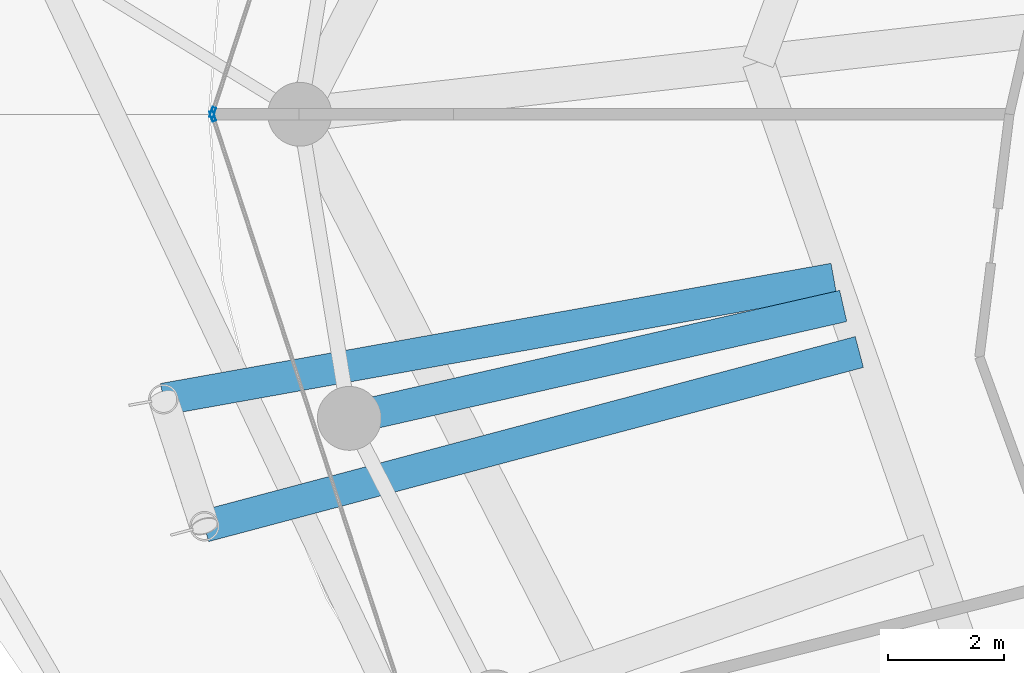
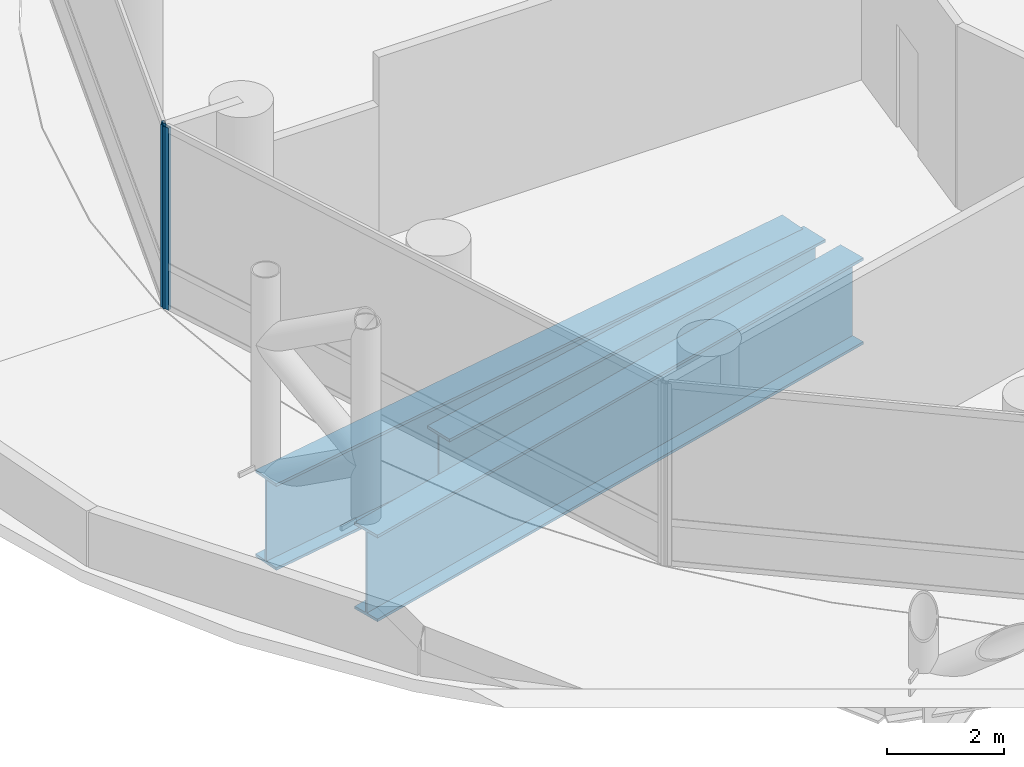
# One storey, part 8 of 37: 3 beams, 2 members, 2 elements without a shape of their own.
"""IFC4 building model written with IfcOpenShell, lengths in metres."""

from ifc_helpers import new_model, si_unit, direction, frame, origin, origin_2d, place, context, subcontext, project, spatial, hollow_rectangle, i_section, extrude, material, layer, layer_set, material_profile, profile_set, type_object, element, aggregate, save


model = new_model("IFC4")

# Units and contexts
model_context = context("Model", 3, precision=1e-05, world=origin(), true_north=direction((0.0, 1.0)))
body_context = subcontext(model_context, "Body", "Model", "MODEL_VIEW")
ifc_project = project(units=[si_unit("LENGTHUNIT", "METRE"), si_unit("AREAUNIT", "SQUARE_METRE"), si_unit("VOLUMEUNIT", "CUBIC_METRE"), si_unit("PLANEANGLEUNIT", "RADIAN"), si_unit("MASSUNIT", "GRAM", prefix="KILO")], contexts=[model_context])

# Site, building, storey
site_placement = place(None, origin())
site = spatial("IfcSite", under=ifc_project, at=site_placement, CompositionType="ELEMENT")
building_placement = place(site_placement, origin())
building = spatial("IfcBuilding", under=site, at=building_placement, Name="Nuhasar Tower", CompositionType="ELEMENT")
storey_placement = place(building_placement, frame((0.0, 0.0, 21.0)))
storey = spatial("IfcBuildingStorey", under=building, at=storey_placement, Name="L04", CompositionType="ELEMENT", Elevation=21.0)

# Beams
ifc_material_1 = material(Name="Steel S460", Category="steel")
ifc_material_profile_1 = material_profile(ifc_material_1, i_section(OverallWidth=0.550048828125, OverallDepth=1.64990234375, WebThickness=0.031982421875, FlangeThickness=0.054931640625, at=origin_2d()), Name="PG1650X550")
ifc_profile_set_1 = profile_set([ifc_material_profile_1], Name="Steel S460")
beam_type_1 = type_object("IfcBeamType", Name="BM-XFER-PG1650", PredefinedType="USERDEFINED", material=ifc_profile_set_1)
beam_1_placement = place(storey_placement, frame((23.31689453125, 23.49609375, -1.0849609375), z_axis=(-0.975077061721, -0.221866454664, 0.0), x_axis=(0.221866454664, -0.975077061721, 0.0)))
element("IfcBeam", 1, at=beam_1_placement, inside=storey, type_object=beam_type_1, Name="L04 Inner Column Transfer Girder 14", ObjectType="GIRDER", PredefinedType="USERDEFINED", context=body_context, shape_type="SweptSolid", body=[
    extrude(i_section(OverallWidth=0.550048828125, OverallDepth=1.64990234375, WebThickness=0.031982421875, FlangeThickness=0.054931640625, at=origin_2d()), origin(), (0.0, 0.0, 1.0), 8.73046875),
])
ifc_material_profile_2 = material_profile(ifc_material_1, i_section(OverallWidth=0.550048828125, OverallDepth=1.800048828125, WebThickness=0.031982421875, FlangeThickness=0.054931640625, at=origin_2d()), Name="PG1800X550")
ifc_profile_set_2 = profile_set([ifc_material_profile_2], Name="Steel S460")
beam_type_2 = type_object("IfcBeamType", Name="BM-XFER-PG1800", PredefinedType="USERDEFINED", material=ifc_profile_set_2)
beam_2_placement = place(storey_placement, frame((23.155029296875, 23.9609375, -1.159912109375), z_axis=(-0.984314388203, -0.176423312454, 0.0), x_axis=(0.176423312454, -0.984314388203, 0.0)))
element("IfcBeam", 2, at=beam_2_placement, inside=storey, type_object=beam_type_2, Name="L04 Exoskeleton Base Transfer Girder 13", ObjectType="GIRDER", PredefinedType="USERDEFINED", context=body_context, shape_type="SweptSolid", body=[
    extrude(i_section(OverallWidth=0.550048828125, OverallDepth=1.800048828125, WebThickness=0.031982421875, FlangeThickness=0.054931640625, at=origin_2d()), origin(), (0.0, 0.0, 1.0), 11.739013671875),
])
beam_3_placement = place(storey_placement, frame((23.593994140625, 22.702880859375, -1.159912109375), z_axis=(-0.966397133766, -0.257053651693, 0.0), x_axis=(0.257053651693, -0.966397133766, 0.0)))
element("IfcBeam", 3, at=beam_3_placement, inside=storey, type_object=beam_type_2, Name="L04 Exoskeleton Base Transfer Girder 14", ObjectType="GIRDER", PredefinedType="USERDEFINED", context=body_context, shape_type="SweptSolid", body=[
    extrude(i_section(OverallWidth=0.550048828125, OverallDepth=1.800048828125, WebThickness=0.031982421875, FlangeThickness=0.054931640625, at=origin_2d()), origin(), (0.0, 0.0, 1.0), 11.67822265625),
])

# Curtain wall, member
ifc_material_2 = material(Name="Aluminium 6063-T6", Category="aluminium")
ifc_layer = layer(ifc_material_2, 0.199951171875)
ifc_layer_set = layer_set([ifc_layer], Name="Aluminium 6063-T6")
curtain_wall_type = type_object("IfcCurtainWallType", Name="CW-Z1-OFF", PredefinedType="NOTDEFINED", material=ifc_layer_set)
curtain_wall_1_placement = place(storey_placement, origin())
curtain_wall_1 = element("IfcCurtainWall", 4, at=curtain_wall_1_placement, inside=storey, type_object=curtain_wall_type, Name="L04 Unitised Curtain Wall 06", PredefinedType="NOTDEFINED")
ifc_material_profile_3 = material_profile(ifc_material_2, hollow_rectangle(XDim=0.06494140625, YDim=0.179931640625, WallThickness=0.0048828125, at=origin_2d()), Name="CWM-2")
ifc_profile_set_3 = profile_set([ifc_material_profile_3], Name="Aluminium 6063-T6")
member_type = type_object("IfcMemberType", Name="CW-MUL-S2", PredefinedType="MULLION", material=ifc_profile_set_3)
member_1_placement = place(storey_placement, frame((12.4501953125, 26.830810546875, 0.0), z_axis=(0.0, 0.0, 1.0), x_axis=(0.950467534571, -0.310823849997, 0.0)))
member_1 = element("IfcMember", 5, at=member_1_placement, type_object=member_type, Name="CW-Z1 mullion 2", PredefinedType="MULLION", context=body_context, shape_type="SweptSolid", body=[
    extrude(hollow_rectangle(XDim=0.06494140625, YDim=0.179931640625, WallThickness=0.0048828125, at=origin_2d()), origin(), (0.0, 0.0, 1.0), 3.7900390625),
])
aggregate(curtain_wall_1, [member_1])

curtain_wall_2_placement = place(storey_placement, origin())
curtain_wall_2 = element("IfcCurtainWall", 6, at=curtain_wall_2_placement, inside=storey, type_object=curtain_wall_type, Name="L04 Unitised Curtain Wall 07", PredefinedType="NOTDEFINED")
member_2_placement = place(storey_placement, frame((12.4501953125, 26.76904296875, 0.0), z_axis=(0.0, 0.0, 1.0), x_axis=(0.950467534571, 0.310823849997, 0.0)))
member_2 = element("IfcMember", 7, at=member_2_placement, type_object=member_type, Name="CW-Z1 mullion 1", PredefinedType="MULLION", context=body_context, shape_type="SweptSolid", body=[
    extrude(hollow_rectangle(XDim=0.06494140625, YDim=0.179931640625, WallThickness=0.0048828125, at=origin_2d()), origin(), (0.0, 0.0, 1.0), 3.7900390625),
])
aggregate(curtain_wall_2, [member_2])

save(model, "model.ifc")
